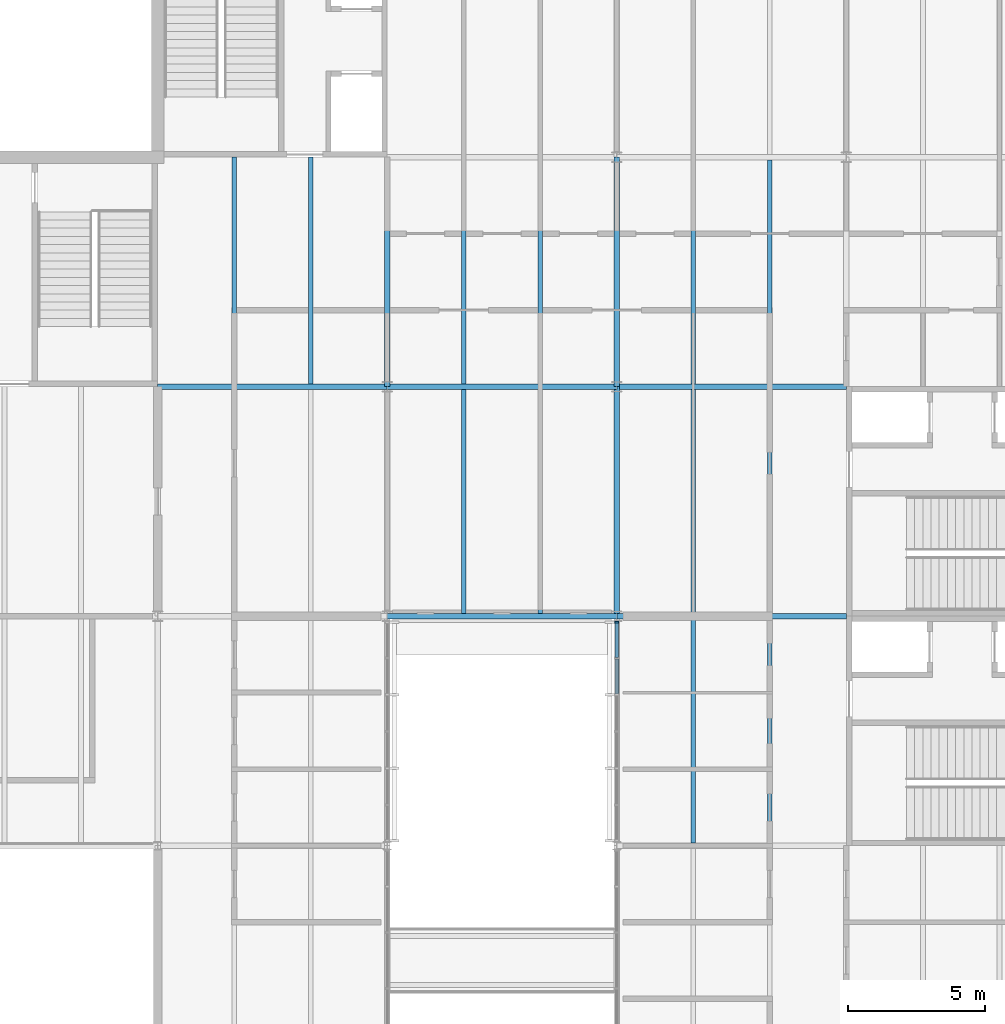
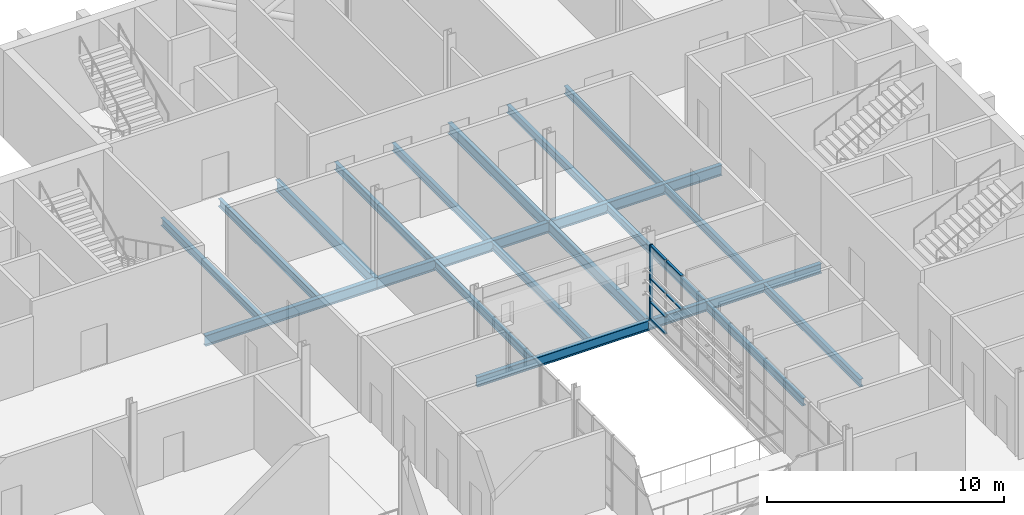
# One storey, part 54 of 129: 20 beams, 7 members, 1 element without a shape of its own.
"""IFC4 building model written with IfcOpenShell, lengths in metres."""

from ifc_helpers import new_model, si_unit, direction, frame, origin, origin_2d, place, context, subcontext, project, spatial, rectangle, i_section, extrude, material, layer, layer_set, material_profile, profile_set, type_object, element, aggregate, save


model = new_model("IFC4")

# Units and contexts
model_context = context("Model", 3, precision=1e-05, world=origin(), true_north=direction((0.0, 1.0)))
body_context = subcontext(model_context, "Body", "Model", "MODEL_VIEW")
ifc_project = project(units=[si_unit("LENGTHUNIT", "METRE"), si_unit("AREAUNIT", "SQUARE_METRE"), si_unit("VOLUMEUNIT", "CUBIC_METRE"), si_unit("PLANEANGLEUNIT", "RADIAN"), si_unit("MASSUNIT", "GRAM", prefix="KILO")], contexts=[model_context])

# Site, building, storey
site_placement = place(None, origin())
site = spatial("IfcSite", under=ifc_project, at=site_placement, CompositionType="ELEMENT")
building_placement = place(site_placement, origin())
building = spatial("IfcBuilding", under=site, at=building_placement, Name="Ardhachandra Cancer Care Centre", CompositionType="ELEMENT")
storey_placement = place(building_placement, frame((0.0, 0.0, 4.5)))
storey = spatial("IfcBuildingStorey", under=building, at=storey_placement, Name="L01", CompositionType="ELEMENT", Elevation=4.5)

# Beams
ifc_material_1 = material(Name="Steel E350 (IS 2062)", Category="steel")
ifc_material_profile_1 = material_profile(ifc_material_1, i_section(OverallWidth=0.179931640625, OverallDepth=0.39990234375, WebThickness=0.008544921875, FlangeThickness=0.013427734375, FilletRadius=0.02099609375, at=origin_2d()), Name="NPB 400x180x66.30")
ifc_profile_set_1 = profile_set([ifc_material_profile_1], Name="Steel E350 (IS 2062)")
beam_type_1 = type_object("IfcBeamType", Name="Beam NPB 400x180x66.30", PredefinedType="BEAM", material=ifc_profile_set_1)
for number, where, z_axis, x_axis, name in (
    (1, (114.39990234375, 88.304931640625, -0.35009765625), (0.0, 1.0, 0.0), (-1.0, 0.0, 0.0), "Secondary K13-L13@2800"),
    (2, (117.199951171875, 88.304931640625, -0.35009765625), (0.0, 1.0, 0.0), (-1.0, 0.0, 0.0), "Secondary K13-L13@5600"),
):
    element("IfcBeam", number, at=place(storey_placement, frame(where, z_axis=z_axis, x_axis=x_axis)), inside=storey, type_object=beam_type_1, Name=name, PredefinedType="BEAM", context=body_context, shape_type="SweptSolid", body=[
        extrude(i_section(OverallWidth=0.179931640625, OverallDepth=0.39990234375, WebThickness=0.008544921875, FlangeThickness=0.013427734375, FilletRadius=0.02099609375, at=origin_2d()), origin(), (0.0, 0.0, 1.0), 8.295166015625),
    ])
beam_1_placement = place(storey_placement, frame((122.800048828125, 79.89990234375, -0.35009765625), z_axis=(0.0, 1.0, 0.0), x_axis=(-1.0, 0.0, 0.0)))
element("IfcBeam", 3, at=beam_1_placement, inside=storey, type_object=beam_type_1, Name="Secondary J14-K14@2800", PredefinedType="BEAM", context=body_context, shape_type="SweptSolid", body=[
    extrude(i_section(OverallWidth=0.179931640625, OverallDepth=0.39990234375, WebThickness=0.008544921875, FlangeThickness=0.013427734375, FilletRadius=0.02099609375, at=origin_2d()), origin(), (0.0, 0.0, 1.0), 8.195068359375),
])
beam_2_placement = place(storey_placement, frame((122.800048828125, 88.304931640625, -0.35009765625), z_axis=(0.0, 1.0, 0.0), x_axis=(-1.0, 0.0, 0.0)))
element("IfcBeam", 4, at=beam_2_placement, inside=storey, type_object=beam_type_1, Name="Secondary K14-L14@2800", PredefinedType="BEAM", context=body_context, shape_type="SweptSolid", body=[
    extrude(i_section(OverallWidth=0.179931640625, OverallDepth=0.39990234375, WebThickness=0.008544921875, FlangeThickness=0.013427734375, FilletRadius=0.02099609375, at=origin_2d()), origin(), (0.0, 0.0, 1.0), 8.190185546875),
])
beam_3_placement = place(storey_placement, frame((125.60009765625, 79.89990234375, -0.35009765625), z_axis=(0.0, 1.0, 0.0), x_axis=(-1.0, 0.0, 0.0)))
element("IfcBeam", 5, at=beam_3_placement, inside=storey, type_object=beam_type_1, Name="Secondary J14-K14@5600", PredefinedType="BEAM", context=body_context, shape_type="SweptSolid", body=[
    extrude(i_section(OverallWidth=0.179931640625, OverallDepth=0.39990234375, WebThickness=0.008544921875, FlangeThickness=0.013427734375, FilletRadius=0.02099609375, at=origin_2d()), origin(), (0.0, 0.0, 1.0), 8.195068359375),
])
beam_4_placement = place(storey_placement, frame((125.60009765625, 88.304931640625, -0.35009765625), z_axis=(0.0, 1.0, 0.0), x_axis=(-1.0, 0.0, 0.0)))
element("IfcBeam", 6, at=beam_4_placement, inside=storey, type_object=beam_type_1, Name="Secondary K14-L14@5600", PredefinedType="BEAM", context=body_context, shape_type="SweptSolid", body=[
    extrude(i_section(OverallWidth=0.179931640625, OverallDepth=0.39990234375, WebThickness=0.008544921875, FlangeThickness=0.013427734375, FilletRadius=0.02099609375, at=origin_2d()), origin(), (0.0, 0.0, 1.0), 8.190185546875),
])
for number, where, z_axis, x_axis, name in (
    (7, (131.199951171875, 71.5048828125, -0.35009765625), (0.0, 1.0, 0.0), (-1.0, 0.0, 0.0), "Secondary H15-J15@2800"),
    (8, (131.199951171875, 79.89990234375, -0.35009765625), (0.0, 1.0, 0.0), (-1.0, 0.0, 0.0), "Secondary J15-K15@2800"),
):
    element("IfcBeam", number, at=place(storey_placement, frame(where, z_axis=z_axis, x_axis=x_axis)), inside=storey, type_object=beam_type_1, Name=name, PredefinedType="BEAM", context=body_context, shape_type="SweptSolid", body=[
        extrude(i_section(OverallWidth=0.179931640625, OverallDepth=0.39990234375, WebThickness=0.008544921875, FlangeThickness=0.013427734375, FilletRadius=0.02099609375, at=origin_2d()), origin(), (0.0, 0.0, 1.0), 8.195068359375),
    ])
beam_5_placement = place(storey_placement, frame((131.199951171875, 88.304931640625, -0.35009765625), z_axis=(0.0, 1.0, 0.0), x_axis=(-1.0, 0.0, 0.0)))
element("IfcBeam", 9, at=beam_5_placement, inside=storey, type_object=beam_type_1, Name="Secondary K15-L15@2800", PredefinedType="BEAM", context=body_context, shape_type="SweptSolid", body=[
    extrude(i_section(OverallWidth=0.179931640625, OverallDepth=0.39990234375, WebThickness=0.008544921875, FlangeThickness=0.013427734375, FilletRadius=0.02099609375, at=origin_2d()), origin(), (0.0, 0.0, 1.0), 8.190185546875),
])
for number, where, z_axis, x_axis, name in (
    (10, (134.0, 71.5048828125, -0.35009765625), (0.0, 1.0, 0.0), (-1.0, 0.0, 0.0), "Secondary H15-J15@5600"),
    (11, (134.0, 79.89990234375, -0.35009765625), (0.0, 1.0, 0.0), (-1.0, 0.0, 0.0), "Secondary J15-K15@5600"),
):
    element("IfcBeam", number, at=place(storey_placement, frame(where, z_axis=z_axis, x_axis=x_axis)), inside=storey, type_object=beam_type_1, Name=name, PredefinedType="BEAM", context=body_context, shape_type="SweptSolid", body=[
        extrude(i_section(OverallWidth=0.179931640625, OverallDepth=0.39990234375, WebThickness=0.008544921875, FlangeThickness=0.013427734375, FilletRadius=0.02099609375, at=origin_2d()), origin(), (0.0, 0.0, 1.0), 8.195068359375),
    ])
beam_6_placement = place(storey_placement, frame((134.0, 88.304931640625, -0.35009765625), z_axis=(0.0, 1.0, 0.0), x_axis=(-1.0, 0.0, 0.0)))
element("IfcBeam", 12, at=beam_6_placement, inside=storey, type_object=beam_type_1, Name="Secondary K15-L15@5600", PredefinedType="BEAM", context=body_context, shape_type="SweptSolid", body=[
    extrude(i_section(OverallWidth=0.179931640625, OverallDepth=0.39990234375, WebThickness=0.008544921875, FlangeThickness=0.013427734375, FilletRadius=0.02099609375, at=origin_2d()), origin(), (0.0, 0.0, 1.0), 8.190185546875),
])
ifc_material_2 = material(Name="Steel E350 (IS 2062)", Category="steel")
ifc_material_profile_2 = material_profile(ifc_material_2, i_section(OverallWidth=0.199951171875, OverallDepth=0.5, WebThickness=0.01025390625, FlangeThickness=0.01611328125, FilletRadius=0.02099609375, at=origin_2d()), Name="NPB 500x200x90.68")
ifc_profile_set_2 = profile_set([ifc_material_profile_2], Name="Steel E350 (IS 2062)")
beam_type_2 = type_object("IfcBeamType", Name="Beam NPB 500x200x90.68", PredefinedType="BEAM", material=ifc_profile_set_2)
beam_7_placement = place(storey_placement, frame((120.0, 79.800048828125, -0.39990234375), z_axis=(1.0, 0.0, 0.0), x_axis=(0.0, 1.0, 0.0)))
element("IfcBeam", 13, at=beam_7_placement, inside=storey, type_object=beam_type_2, Name="Edge girder J14-J15", PredefinedType="BEAM", context=body_context, shape_type="SweptSolid", body=[
    extrude(i_section(OverallWidth=0.199951171875, OverallDepth=0.5, WebThickness=0.01025390625, FlangeThickness=0.01611328125, FilletRadius=0.02099609375, at=origin_2d()), origin(), (0.0, 0.0, 1.0), 8.39990234375),
])
beam_8_placement = place(storey_placement, frame((128.39990234375, 79.800048828125, -0.39990234375), z_axis=(1.0, 0.0, 0.0), x_axis=(0.0, 1.0, 0.0)))
element("IfcBeam", 14, at=beam_8_placement, inside=storey, type_object=beam_type_2, Name="Edge girder J15-J16", PredefinedType="BEAM", context=body_context, shape_type="SweptSolid", body=[
    extrude(i_section(OverallWidth=0.199951171875, OverallDepth=0.5, WebThickness=0.01025390625, FlangeThickness=0.01611328125, FilletRadius=0.02099609375, at=origin_2d()), origin(), (0.0, 0.0, 1.0), 8.400146484375),
])
ifc_material_3 = material(Name="Steel E350 (IS 2062)", Category="steel")
ifc_material_profile_3 = material_profile(ifc_material_3, i_section(OverallWidth=0.2099609375, OverallDepth=0.550048828125, WebThickness=0.010986328125, FlangeThickness=0.01708984375, FilletRadius=0.02392578125, at=origin_2d()), Name="NPB 550x210x105.52")
ifc_profile_set_3 = profile_set([ifc_material_profile_3], Name="Steel E350 (IS 2062)")
beam_type_3 = type_object("IfcBeamType", Name="Beam NPB 550x210x105.52", PredefinedType="BEAM", material=ifc_profile_set_3)
for number, where, z_axis, x_axis, name in (
    (15, (111.60009765625, 88.199951171875, -0.425048828125), (1.0, 0.0, 0.0), (0.0, 1.0, 0.0), "Girder K13-K14"),
    (16, (120.0, 88.199951171875, -0.425048828125), (1.0, 0.0, 0.0), (0.0, 1.0, 0.0), "Girder K14-K15"),
):
    element("IfcBeam", number, at=place(storey_placement, frame(where, z_axis=z_axis, x_axis=x_axis)), inside=storey, type_object=beam_type_3, Name=name, PredefinedType="BEAM", context=body_context, shape_type="SweptSolid", body=[
        extrude(i_section(OverallWidth=0.2099609375, OverallDepth=0.550048828125, WebThickness=0.010986328125, FlangeThickness=0.01708984375, FilletRadius=0.02392578125, at=origin_2d()), origin(), (0.0, 0.0, 1.0), 8.39990234375),
    ])
for number, where, z_axis, x_axis, name in (
    (17, (128.39990234375, 88.199951171875, -0.425048828125), (1.0, 0.0, 0.0), (0.0, 1.0, 0.0), "Girder K15-K16"),
    (18, (120.0, 88.199951171875, -0.425048828125), (0.0, 1.0, 0.0), (-1.0, 0.0, 0.0), "Girder K14-L14"),
):
    element("IfcBeam", number, at=place(storey_placement, frame(where, z_axis=z_axis, x_axis=x_axis)), inside=storey, type_object=beam_type_3, Name=name, PredefinedType="BEAM", context=body_context, shape_type="SweptSolid", body=[
        extrude(i_section(OverallWidth=0.2099609375, OverallDepth=0.550048828125, WebThickness=0.010986328125, FlangeThickness=0.01708984375, FilletRadius=0.02392578125, at=origin_2d()), origin(), (0.0, 0.0, 1.0), 8.400146484375),
    ])
beam_9_placement = place(storey_placement, frame((128.39990234375, 79.800048828125, -0.425048828125), z_axis=(0.0, 1.0, 0.0), x_axis=(-1.0, 0.0, 0.0)))
element("IfcBeam", 19, at=beam_9_placement, inside=storey, type_object=beam_type_3, Name="Girder J15-K15", PredefinedType="BEAM", context=body_context, shape_type="SweptSolid", body=[
    extrude(i_section(OverallWidth=0.2099609375, OverallDepth=0.550048828125, WebThickness=0.010986328125, FlangeThickness=0.01708984375, FilletRadius=0.02392578125, at=origin_2d()), origin(), (0.0, 0.0, 1.0), 8.39990234375),
])
beam_10_placement = place(storey_placement, frame((128.39990234375, 88.199951171875, -0.425048828125), z_axis=(0.0, 1.0, 0.0), x_axis=(-1.0, 0.0, 0.0)))
element("IfcBeam", 20, at=beam_10_placement, inside=storey, type_object=beam_type_3, Name="Girder K15-L15", PredefinedType="BEAM", context=body_context, shape_type="SweptSolid", body=[
    extrude(i_section(OverallWidth=0.2099609375, OverallDepth=0.550048828125, WebThickness=0.010986328125, FlangeThickness=0.01708984375, FilletRadius=0.02392578125, at=origin_2d()), origin(), (0.0, 0.0, 1.0), 8.400146484375),
])

# Curtain wall, members
ifc_material_4 = material(Name="Aluminium extrusion", Category="aluminium")
ifc_layer = layer(ifc_material_4, 0.14990234375)
ifc_layer_set = layer_set([ifc_layer], Name="Aluminium extrusion")
curtain_wall_type = type_object("IfcCurtainWallType", Name="Curtain wall run", PredefinedType="NOTDEFINED", material=ifc_layer_set)
curtain_wall_placement = place(storey_placement, origin())
curtain_wall = element("IfcCurtainWall", 21, at=curtain_wall_placement, inside=storey, type_object=curtain_wall_type, Name="Curtain wall L01 w/0128400_0071400", PredefinedType="NOTDEFINED")
ifc_material_5 = material(Name="Aluminium extrusion", Category="aluminium")
ifc_material_profile_4 = material_profile(ifc_material_5, rectangle(XDim=0.159912109375, YDim=0.06005859375, at=origin_2d()), Name="Curtain wall mullion 60 x 160")
ifc_profile_set_4 = profile_set([ifc_material_profile_4], Name="Aluminium extrusion")
member_type_1 = type_object("IfcMemberType", Name="Curtain wall mullion 60 x 160", PredefinedType="MULLION", material=ifc_profile_set_4)
member_1_placement = place(storey_placement, frame((128.39990234375, 79.580078125, 0.0), z_axis=(0.0, 0.0, 1.0), x_axis=(-1.0, 0.0, 0.0)))
member_1 = element("IfcMember", 22, at=member_1_placement, type_object=member_type_1, Name="CW mullion 7", PredefinedType="MULLION", context=body_context, shape_type="SweptSolid", body=[
    extrude(rectangle(XDim=0.159912109375, YDim=0.06005859375, at=origin_2d()), origin(), (0.0, 0.0, 1.0), 3.85009765625),
])
ifc_material_6 = material(Name="Aluminium extrusion", Category="aluminium")
ifc_material_profile_5 = material_profile(ifc_material_6, rectangle(XDim=0.1201171875, YDim=0.06005859375, at=origin_2d()), Name="Curtain wall transom 60 x 120")
ifc_profile_set_5 = profile_set([ifc_material_profile_5], Name="Aluminium extrusion")
member_type_2 = type_object("IfcMemberType", Name="Curtain wall transom 60 x 120", PredefinedType="USERDEFINED", material=ifc_profile_set_5)
member_2_placement = place(storey_placement, frame((128.39990234375, 76.953369140625, 2.10009765625), z_axis=(0.0, 1.0, 0.0), x_axis=(-1.0, 0.0, 0.0)))
member_2 = element("IfcMember", 23, at=member_2_placement, type_object=member_type_2, Name="CW transom 5.3", ObjectType="TRANSOM", PredefinedType="USERDEFINED", context=body_context, shape_type="SweptSolid", body=[
    extrude(rectangle(XDim=0.1201171875, YDim=0.06005859375, at=origin_2d()), origin(), (0.0, 0.0, 1.0), 1.283203125),
])
member_3_placement = place(storey_placement, frame((128.39990234375, 76.953369140625, 3.820068359375), z_axis=(0.0, 1.0, 0.0), x_axis=(-1.0, 0.0, 0.0)))
member_3 = element("IfcMember", 24, at=member_3_placement, type_object=member_type_2, Name="CW transom 5.4", ObjectType="TRANSOM", PredefinedType="USERDEFINED", context=body_context, shape_type="SweptSolid", body=[
    extrude(rectangle(XDim=0.1201171875, YDim=0.06005859375, at=origin_2d()), origin(), (0.0, 0.0, 1.0), 1.283203125),
])
member_4_placement = place(storey_placement, frame((128.39990234375, 78.296630859375, 0.030029296875), z_axis=(0.0, 1.0, 0.0), x_axis=(-1.0, 0.0, 0.0)))
member_4 = element("IfcMember", 25, at=member_4_placement, type_object=member_type_2, Name="CW transom 6.1", ObjectType="TRANSOM", PredefinedType="USERDEFINED", context=body_context, shape_type="SweptSolid", body=[
    extrude(rectangle(XDim=0.1201171875, YDim=0.06005859375, at=origin_2d()), origin(), (0.0, 0.0, 1.0), 1.25341796875),
])
member_5_placement = place(storey_placement, frame((128.39990234375, 78.296630859375, 0.89990234375), z_axis=(0.0, 1.0, 0.0), x_axis=(-1.0, 0.0, 0.0)))
member_5 = element("IfcMember", 26, at=member_5_placement, type_object=member_type_2, Name="CW transom 6.2", ObjectType="TRANSOM", PredefinedType="USERDEFINED", context=body_context, shape_type="SweptSolid", body=[
    extrude(rectangle(XDim=0.1201171875, YDim=0.06005859375, at=origin_2d()), origin(), (0.0, 0.0, 1.0), 1.25341796875),
])
member_6_placement = place(storey_placement, frame((128.39990234375, 78.296630859375, 2.10009765625), z_axis=(0.0, 1.0, 0.0), x_axis=(-1.0, 0.0, 0.0)))
member_6 = element("IfcMember", 27, at=member_6_placement, type_object=member_type_2, Name="CW transom 6.3", ObjectType="TRANSOM", PredefinedType="USERDEFINED", context=body_context, shape_type="SweptSolid", body=[
    extrude(rectangle(XDim=0.1201171875, YDim=0.06005859375, at=origin_2d()), origin(), (0.0, 0.0, 1.0), 1.25341796875),
])
member_7_placement = place(storey_placement, frame((128.39990234375, 78.296630859375, 3.820068359375), z_axis=(0.0, 1.0, 0.0), x_axis=(-1.0, 0.0, 0.0)))
member_7 = element("IfcMember", 28, at=member_7_placement, type_object=member_type_2, Name="CW transom 6.4", ObjectType="TRANSOM", PredefinedType="USERDEFINED", context=body_context, shape_type="SweptSolid", body=[
    extrude(rectangle(XDim=0.1201171875, YDim=0.06005859375, at=origin_2d()), origin(), (0.0, 0.0, 1.0), 1.25341796875),
])
aggregate(curtain_wall, [member_1, member_2, member_3, member_4, member_5, member_6, member_7])

save(model, "model.ifc")
